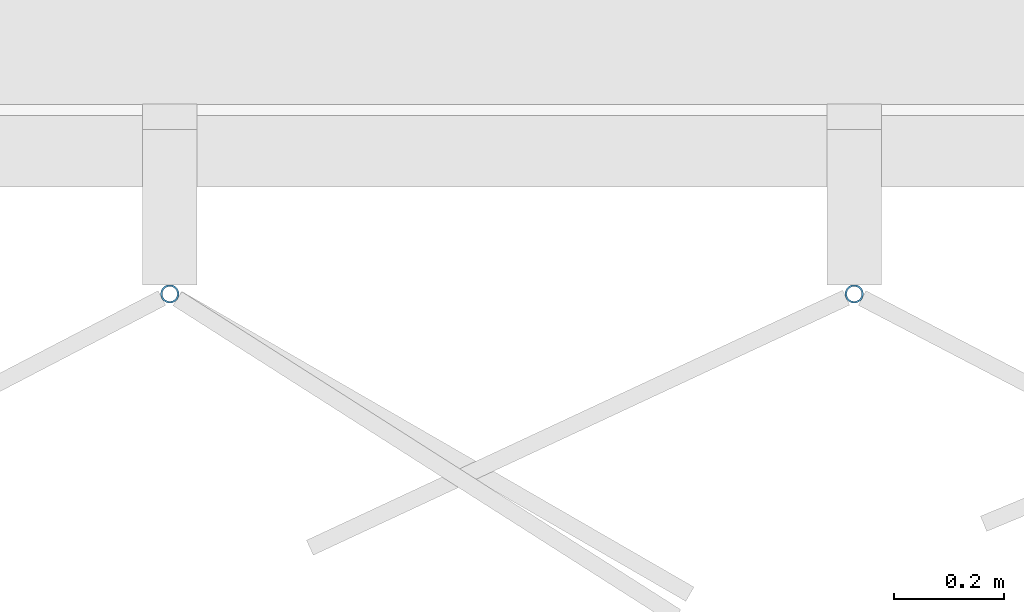
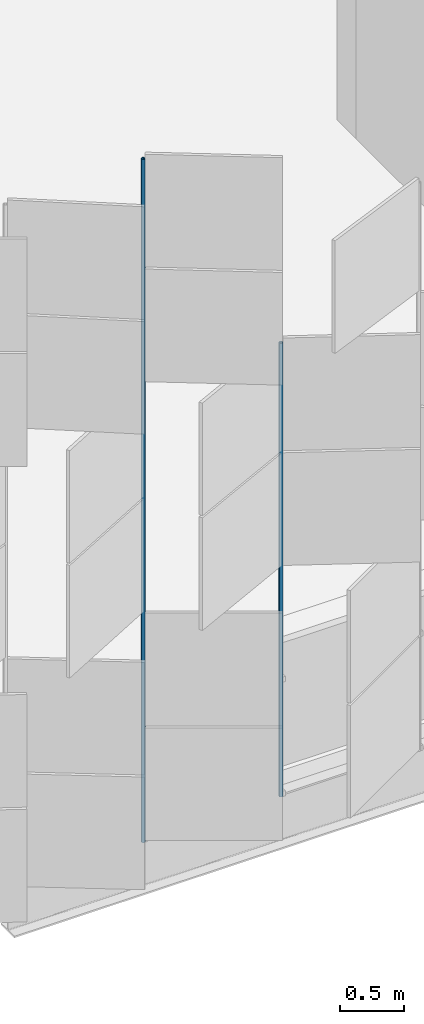
# One storey, part 154 of 483: 2 discrete accessories.
"""IFC4 building model written with IfcOpenShell, lengths in metres."""

from ifc_helpers import new_model, si_unit, direction, frame, origin, origin_2d, place, context, subcontext, project, spatial, hollow_circle, extrude, material, material_profile, profile_set, type_object, element, save


model = new_model("IFC4")

# Units and contexts
model_context = context("Model", 3, precision=1e-05, world=origin(), true_north=direction((0.0, 1.0)))
body_context = subcontext(model_context, "Body", "Model", "MODEL_VIEW")
ifc_project = project(units=[si_unit("LENGTHUNIT", "METRE"), si_unit("AREAUNIT", "SQUARE_METRE"), si_unit("VOLUMEUNIT", "CUBIC_METRE"), si_unit("PLANEANGLEUNIT", "RADIAN"), si_unit("MASSUNIT", "GRAM", prefix="KILO")], contexts=[model_context])

# Site, building, storey
site_placement = place(None, origin())
site = spatial("IfcSite", under=ifc_project, at=site_placement, CompositionType="ELEMENT")
building_placement = place(site_placement, origin())
building = spatial("IfcBuilding", under=site, at=building_placement, Name="Parallax Yard Mobility Hub", CompositionType="ELEMENT")
storey_placement = place(building_placement, frame((0.0, 0.0, 13.199951171875)))
storey = spatial("IfcBuildingStorey", under=building, at=storey_placement, Name="L04", CompositionType="ELEMENT", Elevation=13.199951171875)

# Discrete accessories
ifc_material = material(Name="Steel ASTM A500 Gr C, hot-dip galvanised", Category="steel")
ifc_material_profile = material_profile(ifc_material, hollow_circle(Radius=0.016845703125, WallThickness=0.003173828125, at=origin_2d()), Name="CHS 33.7x3.2")
ifc_profile_set = profile_set([ifc_material_profile], Name="Steel ASTM A500 Gr C, hot-dip galvanised")
discrete_accessory_type = type_object("IfcDiscreteAccessoryType", Name="Hinge post CHS 33.7x3.2", PredefinedType="BRACKET", material=ifc_profile_set)
discrete_accessory_1_placement = place(storey_placement, frame((121.24072265625, 112.199951171875, 0.0), z_axis=(0.0, 0.0, 1.0), x_axis=(1.0, 0.0, 0.0)))
element("IfcDiscreteAccessory", 1, at=discrete_accessory_1_placement, inside=storey, type_object=discrete_accessory_type, Name="Hinge post bay 12.2 level L04", PredefinedType="BRACKET", context=body_context, shape_type="SweptSolid", body=[
    extrude(hollow_circle(Radius=0.016845703125, WallThickness=0.003173828125, at=origin_2d()), origin(), (0.0, 0.0, 1.0), 6.550048828125),
])
discrete_accessory_2_placement = place(storey_placement, frame((122.489990234375, 112.199951171875, 0.0), z_axis=(0.0, 0.0, 1.0), x_axis=(1.0, 0.0, 0.0)))
element("IfcDiscreteAccessory", 2, at=discrete_accessory_2_placement, inside=storey, type_object=discrete_accessory_type, Name="Hinge post bay 12.3 level L04", PredefinedType="BRACKET", context=body_context, shape_type="SweptSolid", body=[
    extrude(hollow_circle(Radius=0.016845703125, WallThickness=0.003173828125, at=origin_2d()), origin(), (0.0, 0.0, 1.0), 4.35009765625),
])

save(model, "model.ifc")
